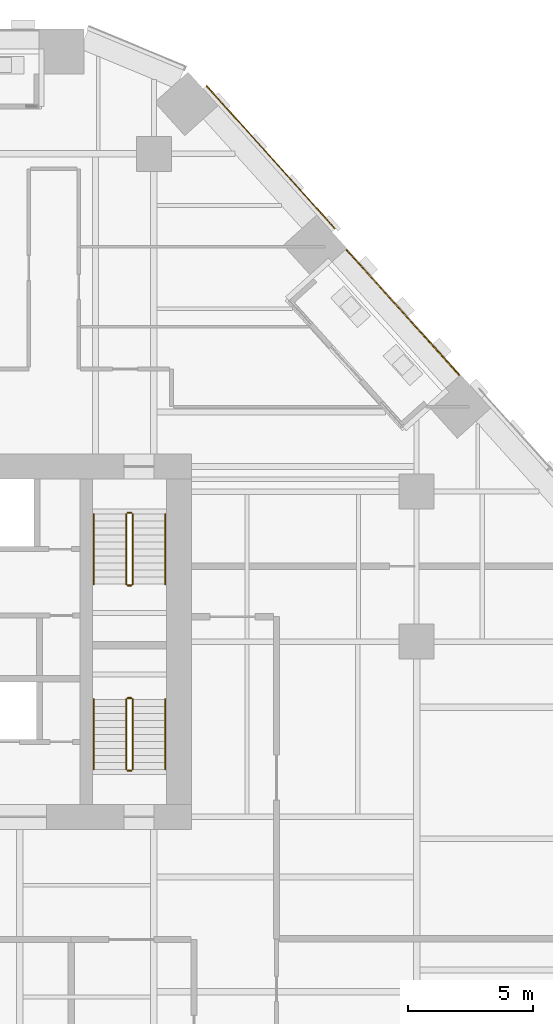
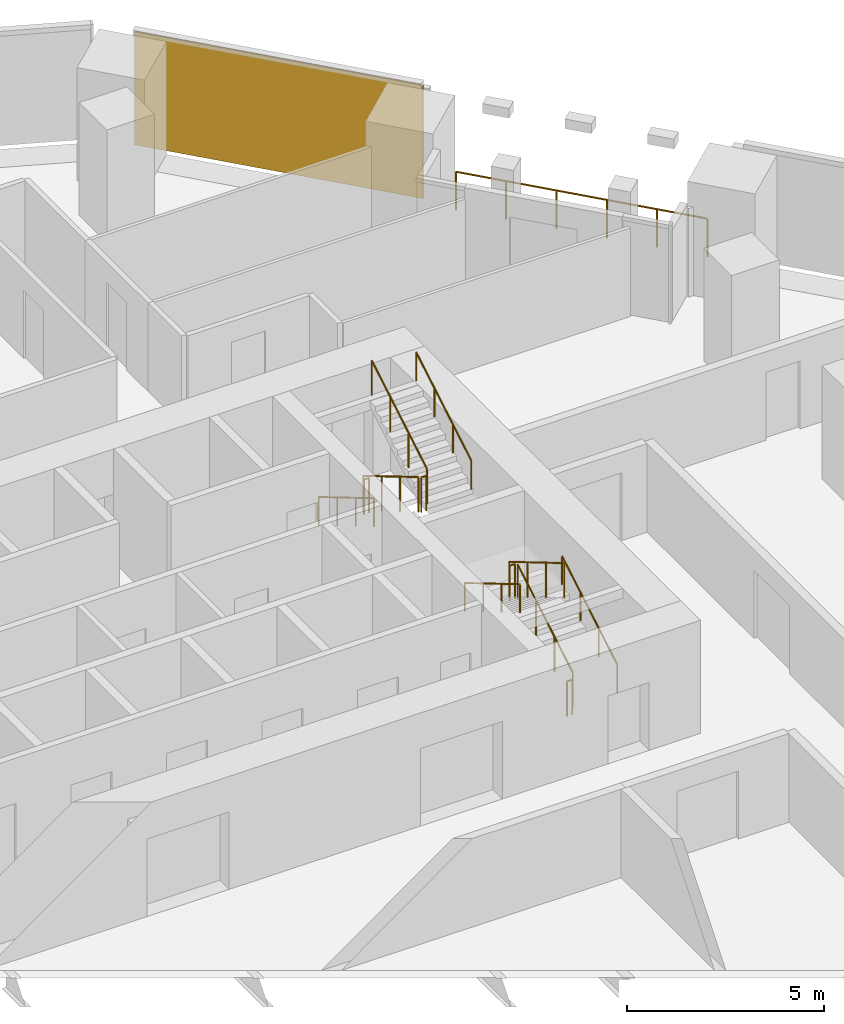
# One storey, part 29 of 31: 13 railings, 1 covering, 1 element without a shape of its own.
"""IFC4 building model written with IfcOpenShell, lengths in metres."""

from ifc_helpers import new_model, si_unit, direction, frame, origin, origin_2d, place, context, subcontext, project, spatial, rectangle, circle, extrude, material, layer, layer_set, type_object, element, aggregate, save


model = new_model("IFC4")

# Units and contexts
model_context = context("Model", 3, precision=1e-05, world=origin(), true_north=direction((0.0, 1.0)))
body_context = subcontext(model_context, "Body", "Model", "MODEL_VIEW")
ifc_project = project(units=[si_unit("LENGTHUNIT", "METRE"), si_unit("AREAUNIT", "SQUARE_METRE"), si_unit("VOLUMEUNIT", "CUBIC_METRE"), si_unit("PLANEANGLEUNIT", "RADIAN"), si_unit("MASSUNIT", "GRAM", prefix="KILO")], contexts=[model_context])

# Site, building, storey
site_placement = place(None, origin())
site = spatial("IfcSite", under=ifc_project, at=site_placement, CompositionType="ELEMENT")
building_placement = place(site_placement, origin())
building = spatial("IfcBuilding", under=site, at=building_placement, Name="Isthmus Gate Tower", CompositionType="ELEMENT")
storey_placement = place(building_placement, frame((0.0, 0.0, 39.64990234375)))
storey = spatial("IfcBuildingStorey", under=building, at=storey_placement, Name="L07", CompositionType="ELEMENT", Elevation=39.64990234375)

# Curtain wall, covering
ifc_material_1 = material(Name="Aluminium, pale champagne anodised", Category="aluminium")
ifc_layer_1 = layer(ifc_material_1, 0.199951171875)
ifc_layer_set_1 = layer_set([ifc_layer_1], Name="CW-1 UNITISED CURTAIN WALL 200 DEEP")
curtain_wall_type = type_object("IfcCurtainWallType", Name="CW-1 UNITISED CURTAIN WALL 200 DEEP", PredefinedType="NOTDEFINED", material=ifc_layer_set_1)
curtain_wall_placement = place(storey_placement, origin())
curtain_wall = element("IfcCurtainWall", 1, at=curtain_wall_placement, inside=storey, type_object=curtain_wall_type, Name="CW-1 NE L07", PredefinedType="NOTDEFINED")
ifc_material_2 = material(Name="Aluminium composite panel, pale champagne anodised", Category="aluminium")
ifc_layer_2 = layer(ifc_material_2, 0.0400390625)
ifc_layer_set_2 = layer_set([ifc_layer_2], Name="CW-1 PALE METAL PANEL 40")
covering_type = type_object("IfcCoveringType", Name="CW-1 PALE METAL PANEL 40", PredefinedType="CLADDING", material=ifc_layer_set_2)
covering_placement = place(storey_placement, frame((18.173583984375, 26.86328125, 0.0), z_axis=(0.0, 0.0, 1.0), x_axis=(-0.669130606359, 0.743144825477, 0.0)))
covering = element("IfcCovering", 2, at=covering_placement, type_object=covering_type, Name="CW-1 pale metal panel", PredefinedType="CLADDING", context=body_context, shape_type="SweptSolid", body=[
    extrude(rectangle(XDim=7.689453125, YDim=0.0400390625, at=origin_2d()), origin(), (0.0, 0.0, 1.0), 3.5),
])
aggregate(curtain_wall, [covering])

# Railings
ifc_material_3 = material(Name="Toughened laminated glass with stainless steel posts", Category="steel")
railing_type_1 = type_object("IfcRailingType", Name="GUARD 1200 FRAMELESS GLASS", PredefinedType="GUARDRAIL", material=ifc_material_3)
railing_1_placement = place(storey_placement, frame((25.69384765625, 18.167724609375, 0.0)))
element("IfcRailing", 3, at=railing_1_placement, inside=storey, type_object=railing_type_1, Name="LOGGIA GUARD", PredefinedType="GUARDRAIL", context=body_context, shape_type="SweptSolid", body=[
    extrude(circle(Radius=0.02490234375, at=origin_2d()), frame((0.0, 0.0, 1.1748046875), z_axis=(-0.66914966946, 0.743127660542, 0.0), x_axis=(-0.743127660542, -0.66914966946, 0.0)), (0.0, 0.0, 1.0), 6.709228515625),
    extrude(circle(Radius=0.02490234375, at=origin_2d()), origin(), (0.0, 0.0, 1.0), 1.14990234375),
    extrude(circle(Radius=0.02490234375, at=origin_2d()), frame((-0.89794921875, 0.9970703125, 0.0)), (0.0, 0.0, 1.0), 1.14990234375),
    extrude(circle(Radius=0.02490234375, at=origin_2d()), frame((-1.7958984375, 1.994384765625, 0.0)), (0.0, 0.0, 1.0), 1.14990234375),
    extrude(circle(Radius=0.02490234375, at=origin_2d()), frame((-2.693603515625, 2.991455078125, 0.0)), (0.0, 0.0, 1.0), 1.14990234375),
    extrude(circle(Radius=0.02490234375, at=origin_2d()), frame((-3.591552734375, 3.98876953125, 0.0)), (0.0, 0.0, 1.0), 1.14990234375),
    extrude(circle(Radius=0.02490234375, at=origin_2d()), frame((-4.489501953125, 4.98583984375, 0.0)), (0.0, 0.0, 1.0), 1.14990234375),
])
ifc_material_4 = material(Name="Stainless steel balustrade", Category="steel")
railing_type_2 = type_object("IfcRailingType", Name="STAIR GUARD 1100", PredefinedType="GUARDRAIL", material=ifc_material_4)
railing_2_placement = place(storey_placement, frame((12.39990234375, 12.60009765625, 0.166015625)))
element("IfcRailing", 4, at=railing_2_placement, inside=storey, type_object=railing_type_2, Name="L07 ST2 stair guard 1", PredefinedType="GUARDRAIL", context=body_context, shape_type="SweptSolid", body=[
    extrude(circle(Radius=0.02392578125, at=origin_2d()), frame((0.0, 0.0, 1.076171875), z_axis=(0.0, -0.860306154799, 0.50977771628), x_axis=(1.0, 0.0, 0.0)), (0.0, 0.0, 1.0), 3.254638671875),
    extrude(circle(Radius=0.02099609375, at=origin_2d()), origin(), (0.0, 0.0, 1.0), 1.052001953125),
    extrude(circle(Radius=0.02099609375, at=origin_2d()), frame((0.0, -0.933349609375, 0.552978515625)), (0.0, 0.0, 1.0), 1.052001953125),
    extrude(circle(Radius=0.02099609375, at=origin_2d()), frame((0.0, -1.86669921875, 1.106201171875)), (0.0, 0.0, 1.0), 1.052001953125),
    extrude(circle(Radius=0.02099609375, at=origin_2d()), frame((0.0, -2.800048828125, 1.6591796875)), (0.0, 0.0, 1.0), 1.052001953125),
])
railing_3_placement = place(storey_placement, frame((12.449951171875, 9.75, 1.8251953125)))
element("IfcRailing", 5, at=railing_3_placement, inside=storey, type_object=railing_type_2, Name="L07 ST2 stair guard 2", PredefinedType="GUARDRAIL", context=body_context, shape_type="SweptSolid", body=[
    extrude(circle(Radius=0.02392578125, at=origin_2d()), frame((0.0, 0.0, 1.076171875), z_axis=(1.0, 0.0, 0.0), x_axis=(0.0, 1.0, 0.0)), (0.0, 0.0, 1.0), 0.150146484375),
    extrude(circle(Radius=0.02099609375, at=origin_2d()), origin(), (0.0, 0.0, 1.0), 1.052001953125),
    extrude(circle(Radius=0.02099609375, at=origin_2d()), frame((0.150146484375, 0.0, 0.0)), (0.0, 0.0, 1.0), 1.052001953125),
])
railing_4_placement = place(storey_placement, frame((12.64990234375, 9.800048828125, 1.990966796875)))
element("IfcRailing", 6, at=railing_4_placement, inside=storey, type_object=railing_type_2, Name="L07 ST2 stair guard 3", PredefinedType="GUARDRAIL", context=body_context, shape_type="SweptSolid", body=[
    extrude(circle(Radius=0.02392578125, at=origin_2d()), frame((0.0, 0.0, 1.076171875), z_axis=(0.0, 0.860306154799, 0.50977771628), x_axis=(-1.0, 0.0, 0.0)), (0.0, 0.0, 1.0), 3.254638671875),
    extrude(circle(Radius=0.02099609375, at=origin_2d()), origin(), (0.0, 0.0, 1.0), 1.052001953125),
    extrude(circle(Radius=0.02099609375, at=origin_2d()), frame((0.0, 0.933349609375, 0.552978515625)), (0.0, 0.0, 1.0), 1.052001953125),
    extrude(circle(Radius=0.02099609375, at=origin_2d()), frame((0.0, 1.86669921875, 1.106201171875)), (0.0, 0.0, 1.0), 1.052001953125),
    extrude(circle(Radius=0.02099609375, at=origin_2d()), frame((0.0, 2.800048828125, 1.6591796875)), (0.0, 0.0, 1.0), 1.052001953125),
])
railing_5_placement = place(storey_placement, frame((12.449951171875, 12.64990234375, 0.0)))
element("IfcRailing", 7, at=railing_5_placement, inside=storey, type_object=railing_type_2, Name="L07 ST2 stair guard 4", PredefinedType="GUARDRAIL", context=body_context, shape_type="SweptSolid", body=[
    extrude(circle(Radius=0.02392578125, at=origin_2d()), frame((0.0, 0.0, 1.076171875), z_axis=(1.0, 0.0, 0.0), x_axis=(0.0, 1.0, 0.0)), (0.0, 0.0, 1.0), 0.150146484375),
    extrude(circle(Radius=0.02099609375, at=origin_2d()), origin(), (0.0, 0.0, 1.0), 1.052001953125),
    extrude(circle(Radius=0.02099609375, at=origin_2d()), frame((0.150146484375, 0.0, 0.0)), (0.0, 0.0, 1.0), 1.052001953125),
])
railing_6_placement = place(storey_placement, frame((12.64990234375, 2.39990234375, 0.166015625)))
element("IfcRailing", 8, at=railing_6_placement, inside=storey, type_object=railing_type_2, Name="L07 ST8 stair guard 1", PredefinedType="GUARDRAIL", context=body_context, shape_type="SweptSolid", body=[
    extrude(circle(Radius=0.02392578125, at=origin_2d()), frame((0.0, 0.0, 1.076171875), z_axis=(0.0, 0.860306154799, 0.50977771628), x_axis=(-1.0, 0.0, 0.0)), (0.0, 0.0, 1.0), 3.254638671875),
    extrude(circle(Radius=0.02099609375, at=origin_2d()), origin(), (0.0, 0.0, 1.0), 1.052001953125),
    extrude(circle(Radius=0.02099609375, at=origin_2d()), frame((0.0, 0.933349609375, 0.552978515625)), (0.0, 0.0, 1.0), 1.052001953125),
    extrude(circle(Radius=0.02099609375, at=origin_2d()), frame((0.0, 1.86669921875, 1.106201171875)), (0.0, 0.0, 1.0), 1.052001953125),
    extrude(circle(Radius=0.02099609375, at=origin_2d()), frame((0.0, 2.800048828125, 1.6591796875)), (0.0, 0.0, 1.0), 1.052001953125),
])
railing_7_placement = place(storey_placement, frame((12.60009765625, 5.25, 1.8251953125)))
element("IfcRailing", 9, at=railing_7_placement, inside=storey, type_object=railing_type_2, Name="L07 ST8 stair guard 2", PredefinedType="GUARDRAIL", context=body_context, shape_type="SweptSolid", body=[
    extrude(circle(Radius=0.02392578125, at=origin_2d()), frame((0.0, 0.0, 1.076171875), z_axis=(-1.0, 0.0, 0.0), x_axis=(0.0, -1.0, 0.0)), (0.0, 0.0, 1.0), 0.150146484375),
    extrude(circle(Radius=0.02099609375, at=origin_2d()), origin(), (0.0, 0.0, 1.0), 1.052001953125),
    extrude(circle(Radius=0.02099609375, at=origin_2d()), frame((-0.150146484375, 0.0, 0.0)), (0.0, 0.0, 1.0), 1.052001953125),
])
railing_8_placement = place(storey_placement, frame((12.39990234375, 5.199951171875, 1.990966796875)))
element("IfcRailing", 10, at=railing_8_placement, inside=storey, type_object=railing_type_2, Name="L07 ST8 stair guard 3", PredefinedType="GUARDRAIL", context=body_context, shape_type="SweptSolid", body=[
    extrude(circle(Radius=0.02392578125, at=origin_2d()), frame((0.0, 0.0, 1.076171875), z_axis=(0.0, -0.860306154799, 0.50977771628), x_axis=(1.0, 0.0, 0.0)), (0.0, 0.0, 1.0), 3.254638671875),
    extrude(circle(Radius=0.02099609375, at=origin_2d()), origin(), (0.0, 0.0, 1.0), 1.052001953125),
    extrude(circle(Radius=0.02099609375, at=origin_2d()), frame((0.0, -0.933349609375, 0.552978515625)), (0.0, 0.0, 1.0), 1.052001953125),
    extrude(circle(Radius=0.02099609375, at=origin_2d()), frame((0.0, -1.86669921875, 1.106201171875)), (0.0, 0.0, 1.0), 1.052001953125),
    extrude(circle(Radius=0.02099609375, at=origin_2d()), frame((0.0, -2.800048828125, 1.6591796875)), (0.0, 0.0, 1.0), 1.052001953125),
])
railing_9_placement = place(storey_placement, frame((12.60009765625, 2.35009765625, 0.0)))
element("IfcRailing", 11, at=railing_9_placement, inside=storey, type_object=railing_type_2, Name="L07 ST8 stair guard 4", PredefinedType="GUARDRAIL", context=body_context, shape_type="SweptSolid", body=[
    extrude(circle(Radius=0.02392578125, at=origin_2d()), frame((0.0, 0.0, 1.076171875), z_axis=(-1.0, 0.0, 0.0), x_axis=(0.0, -1.0, 0.0)), (0.0, 0.0, 1.0), 0.150146484375),
    extrude(circle(Radius=0.02099609375, at=origin_2d()), origin(), (0.0, 0.0, 1.0), 1.052001953125),
    extrude(circle(Radius=0.02099609375, at=origin_2d()), frame((-0.150146484375, 0.0, 0.0)), (0.0, 0.0, 1.0), 1.052001953125),
])
ifc_material_5 = material(Name="Stainless steel handrail", Category="steel")
railing_type_3 = type_object("IfcRailingType", Name="STAIR HANDRAIL 900", PredefinedType="HANDRAIL", material=ifc_material_5)
railing_10_placement = place(storey_placement, frame((11.10009765625, 12.60009765625, 0.166015625)))
element("IfcRailing", 12, at=railing_10_placement, inside=storey, type_object=railing_type_3, Name="L07 ST2 stair handrail 1", PredefinedType="HANDRAIL", context=body_context, shape_type="SweptSolid", body=[
    extrude(circle(Radius=0.02392578125, at=origin_2d()), frame((0.0, 0.0, 0.8759765625), z_axis=(0.0, -0.860306154799, 0.50977771628), x_axis=(1.0, 0.0, 0.0)), (0.0, 0.0, 1.0), 3.254638671875),
    extrude(circle(Radius=0.02099609375, at=origin_2d()), origin(), (0.0, 0.0, 1.0), 0.851806640625),
    extrude(circle(Radius=0.02099609375, at=origin_2d()), frame((0.0, -0.933349609375, 0.552978515625)), (0.0, 0.0, 1.0), 0.851806640625),
    extrude(circle(Radius=0.02099609375, at=origin_2d()), frame((0.0, -1.86669921875, 1.106201171875)), (0.0, 0.0, 1.0), 0.851806640625),
    extrude(circle(Radius=0.02099609375, at=origin_2d()), frame((0.0, -2.800048828125, 1.6591796875)), (0.0, 0.0, 1.0), 0.851806640625),
])
for number, where, name in (
    (13, (13.949951171875, 9.800048828125, 1.990966796875), "L07 ST2 stair handrail 2"),
    (14, (13.949951171875, 2.39990234375, 0.166015625), "L07 ST8 stair handrail 1"),
):
    element("IfcRailing", number, at=place(storey_placement, frame(where)), inside=storey, type_object=railing_type_3, Name=name, PredefinedType="HANDRAIL", context=body_context, shape_type="SweptSolid", body=[
        extrude(circle(Radius=0.02392578125, at=origin_2d()), frame((0.0, 0.0, 0.8759765625), z_axis=(0.0, 0.860306154799, 0.50977771628), x_axis=(-1.0, 0.0, 0.0)), (0.0, 0.0, 1.0), 3.254638671875),
        extrude(circle(Radius=0.02099609375, at=origin_2d()), origin(), (0.0, 0.0, 1.0), 0.851806640625),
        extrude(circle(Radius=0.02099609375, at=origin_2d()), frame((0.0, 0.933349609375, 0.552978515625)), (0.0, 0.0, 1.0), 0.851806640625),
        extrude(circle(Radius=0.02099609375, at=origin_2d()), frame((0.0, 1.86669921875, 1.106201171875)), (0.0, 0.0, 1.0), 0.851806640625),
        extrude(circle(Radius=0.02099609375, at=origin_2d()), frame((0.0, 2.800048828125, 1.6591796875)), (0.0, 0.0, 1.0), 0.851806640625),
    ])
railing_11_placement = place(storey_placement, frame((11.10009765625, 5.199951171875, 1.990966796875)))
element("IfcRailing", 15, at=railing_11_placement, inside=storey, type_object=railing_type_3, Name="L07 ST8 stair handrail 2", PredefinedType="HANDRAIL", context=body_context, shape_type="SweptSolid", body=[
    extrude(circle(Radius=0.02392578125, at=origin_2d()), frame((0.0, 0.0, 0.8759765625), z_axis=(0.0, -0.860306154799, 0.50977771628), x_axis=(1.0, 0.0, 0.0)), (0.0, 0.0, 1.0), 3.254638671875),
    extrude(circle(Radius=0.02099609375, at=origin_2d()), origin(), (0.0, 0.0, 1.0), 0.851806640625),
    extrude(circle(Radius=0.02099609375, at=origin_2d()), frame((0.0, -0.933349609375, 0.552978515625)), (0.0, 0.0, 1.0), 0.851806640625),
    extrude(circle(Radius=0.02099609375, at=origin_2d()), frame((0.0, -1.86669921875, 1.106201171875)), (0.0, 0.0, 1.0), 0.851806640625),
    extrude(circle(Radius=0.02099609375, at=origin_2d()), frame((0.0, -2.800048828125, 1.6591796875)), (0.0, 0.0, 1.0), 0.851806640625),
])

save(model, "model.ifc")
